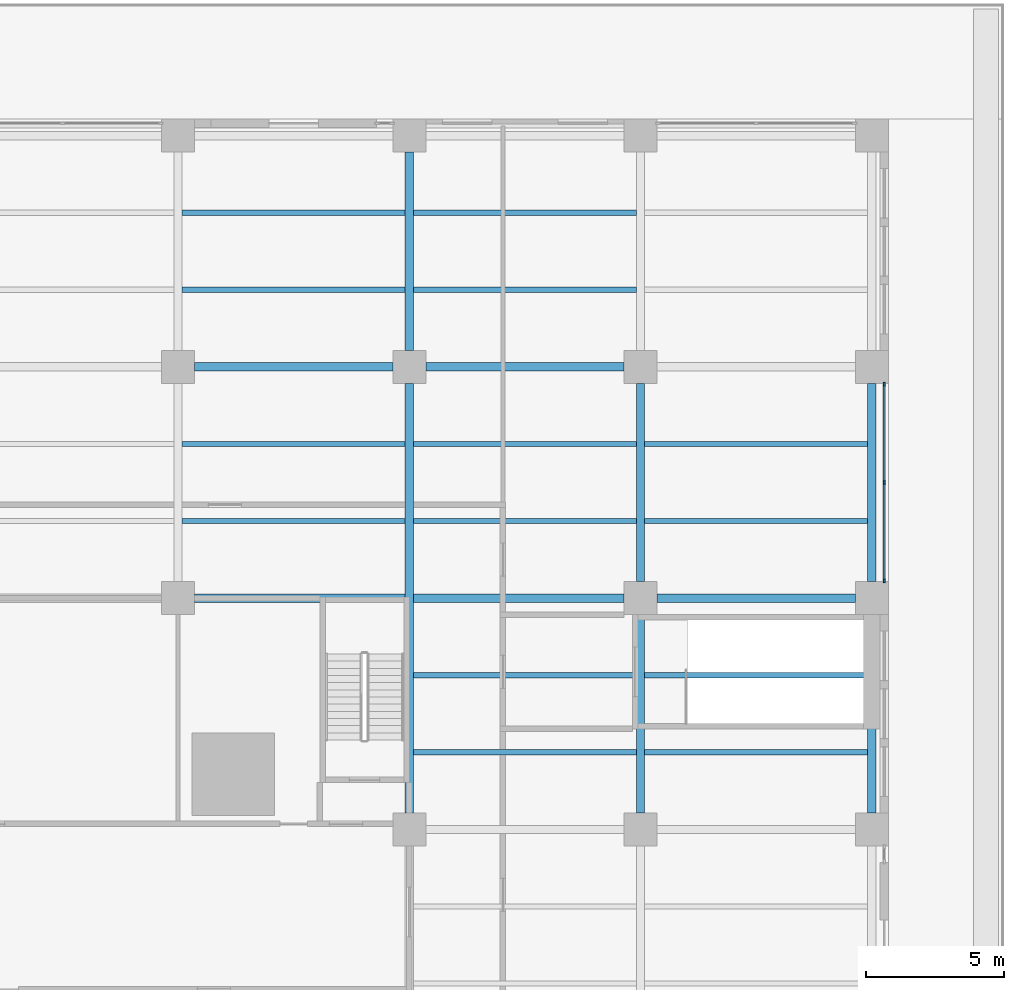
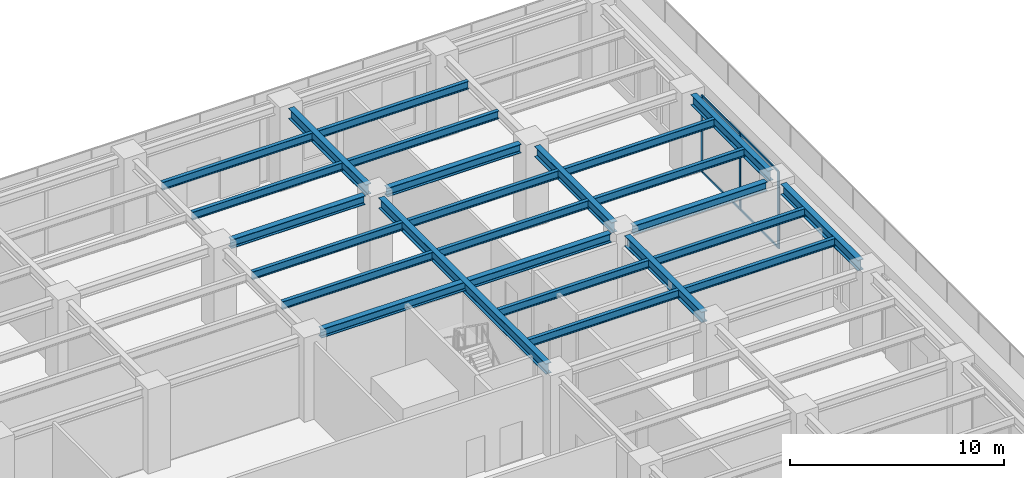
# One storey, part 15 of 53: 24 beams, 7 members, 1 element without a shape of its own.
"""IFC4 building model written with IfcOpenShell, lengths in metres."""

import ifcopenshell
import ifcopenshell.guid

model = None  # the IFC model being written
_history = None  # IfcOwnerHistory: only IFC2X3 demands one
_inside = {}  # id of a spatial element -> (the spatial element, [elements in it])
_under = {}  # id of a project, library or spatial element -> (it, [spatial elements below it])
_declared = {}  # id of a project -> (the project, [libraries it declares])
_typed = {}  # id of a type object -> (the type object, [elements of that type])
_made_of = {}  # id of a material, layer set ... -> (it, [elements and type objects made of it])


def new_model(schema):
    """Start an empty IFC model of exactly this schema.

    Asked for "IFC4X3", IfcOpenShell would pick the latest addendum, in which some entities
    have other attributes; the version numbers below select the first issue.
    IFC2X3 requires an IfcOwnerHistory on every rooted entity: one is made here for all.
    """
    global model, _history
    if schema == "IFC4X3":
        model = ifcopenshell.file(schema_version=(4, 3, 0, 0))
    else:
        model = ifcopenshell.file(schema=schema)
    _inside.clear()
    _under.clear()
    _declared.clear()
    _typed.clear()
    _made_of.clear()
    _history = None
    if model.schema == "IFC2X3":
        org = make("IfcOrganization", Name="unknown")
        user = make(
            "IfcPersonAndOrganization",
            ThePerson=make("IfcPerson", FamilyName="unknown"),
            TheOrganization=org,
        )
        app = make(
            "IfcApplication",
            ApplicationDeveloper=org,
            Version="unknown",
            ApplicationFullName="unknown",
            ApplicationIdentifier="unknown",
        )
        _history = make(
            "IfcOwnerHistory",
            OwningUser=user,
            OwningApplication=app,
            ChangeAction="ADDED",
            CreationDate=0,
        )
    return model


def make(cls, **values):
    """One entity of the class cls with the attributes given. An attribute that is None is left unset."""
    return model.create_entity(
        cls, **{name: value for name, value in values.items() if value is not None}
    )


def rooted(cls, **values):
    """An entity with a GlobalId (a new one), such as an element, a storey or a relation."""
    return make(cls, GlobalId=ifcopenshell.guid.new(), OwnerHistory=_history, **values)


def si_unit(unit_type, name, prefix=None):
    """IfcSIUnit, for example si_unit("LENGTHUNIT", "METRE", prefix="MILLI")."""
    return make("IfcSIUnit", UnitType=unit_type, Prefix=prefix, Name=name)


def assignment(units):
    """IfcUnitAssignment: the units of a project."""
    return None if units is None else make("IfcUnitAssignment", Units=units)


def point(xyz):
    """IfcCartesianPoint."""
    return None if xyz is None else make("IfcCartesianPoint", Coordinates=xyz)


def direction(xyz):
    """IfcDirection."""
    return None if xyz is None else make("IfcDirection", DirectionRatios=xyz)


def frame(location, z_axis=None, x_axis=None):
    """IfcAxis2Placement3D, a coordinate frame: its origin and axes. An axis left out is left unset."""
    return make(
        "IfcAxis2Placement3D",
        Location=point(location),
        Axis=direction(z_axis),
        RefDirection=direction(x_axis),
    )


def frame_2d(location, x_axis=None):
    """IfcAxis2Placement2D, a coordinate frame in the plane: its origin and x axis."""
    return make(
        "IfcAxis2Placement2D", Location=point(location), RefDirection=direction(x_axis)
    )


def origin():
    """The frame at (0, 0, 0) with its axes left unset."""
    return frame((0.0, 0.0, 0.0))


def origin_2d():
    """The frame at (0, 0) in the plane with its x axis left unset."""
    return frame_2d((0.0, 0.0))


def place(relative_to, where):
    """IfcLocalPlacement: puts the frame where relative to a parent placement (None: the world)."""
    return make(
        "IfcLocalPlacement", PlacementRelTo=relative_to, RelativePlacement=where
    )


def context(
    kind, dimensions, precision=None, world=None, true_north=None, identifier=None
):
    """IfcGeometricRepresentationContext, for example the 3D "Model" context."""
    return make(
        "IfcGeometricRepresentationContext",
        ContextIdentifier=identifier,
        ContextType=kind,
        CoordinateSpaceDimension=dimensions,
        Precision=precision,
        WorldCoordinateSystem=world,
        TrueNorth=true_north,
    )


def subcontext(parent, identifier, kind, view, scale=None):
    """IfcGeometricRepresentationSubContext, for example "Body" below "Model"."""
    return make(
        "IfcGeometricRepresentationSubContext",
        ContextIdentifier=identifier,
        ContextType=kind,
        ParentContext=parent,
        TargetScale=scale,
        TargetView=view,
    )


def project(units=None, contexts=None):
    """IfcProject with its units and contexts."""
    return rooted(
        "IfcProject",
        Name="project",
        RepresentationContexts=contexts,
        UnitsInContext=assignment(units),
    )


def spatial(cls, under=None, at=None, **own):
    """A site, building, storey or space (cls), placed at a placement, below another one or the project."""
    s = rooted(cls, ObjectPlacement=at, **own)
    if under is not None:
        _under.setdefault(under.id(), (under, []))[1].append(s)
    return s


def profile(cls, at=None, kind="AREA", **sizes):
    """A parametric profile (cls). Its sizes go by their IFC names, for example OverallWidth=200.0."""
    return make(cls, ProfileType=kind, Position=at, **sizes)


def rectangle(**sizes):
    """IfcRectangleProfileDef."""
    return profile("IfcRectangleProfileDef", **sizes)


def i_section(**sizes):
    """IfcIShapeProfileDef."""
    return profile("IfcIShapeProfileDef", **sizes)


def extrude(swept, where, along, depth):
    """IfcExtrudedAreaSolid: the profile swept, set in the frame where, extruded along a direction by depth."""
    return make(
        "IfcExtrudedAreaSolid",
        SweptArea=swept,
        Position=where,
        ExtrudedDirection=direction(along),
        Depth=depth,
    )


def shape(context_of_items, identifier, shape_type, items):
    """IfcShapeRepresentation: the items that make up one representation, for example the "Body"."""
    return make(
        "IfcShapeRepresentation",
        ContextOfItems=context_of_items,
        RepresentationIdentifier=identifier,
        RepresentationType=shape_type,
        Items=items,
    )


def material(Name=None, Category=None):
    """IfcMaterial."""
    return make("IfcMaterial", Name=Name, Category=Category)


def material_profile(
    of_material, cross_section, Name=None, Category=None, Priority=None
):
    """IfcMaterialProfile: a cross section and its material."""
    return make(
        "IfcMaterialProfile",
        Name=Name,
        Material=of_material,
        Profile=cross_section,
        Priority=Priority,
        Category=Category,
    )


def profile_set(profiles, Name=None, composite=None):
    """IfcMaterialProfileSet."""
    return make(
        "IfcMaterialProfileSet",
        Name=Name,
        MaterialProfiles=profiles,
        CompositeProfile=composite,
    )


def made_of(thing, what):
    """Note that an element or type object is made of a material, layer set ...; save() writes the relation."""
    if what is not None:
        _made_of.setdefault(what.id(), (what, []))[1].append(thing)
    return thing


def type_object(cls, material=None, **own):
    """A type object (cls), such as IfcWallType, which elements share."""
    return made_of(rooted(cls, **own), material)


def element(
    cls,
    number,
    at=None,
    inside=None,
    cuts=None,
    type_object=None,
    material=None,
    context=None,
    identifier="Body",
    shape_type=None,
    held_by="IfcProductDefinitionShape",
    body=None,
    shapes=None,
    **own,
):
    """One element of the class cls, such as IfcWall. Its Tag is "e" and its number.

    at: its placement. inside: the storey or other place that contains it. cuts: it is an
    opening in that element (IfcRelVoidsElement). A single representation is given by context,
    identifier, shape_type and body (its items); several are given by shapes. held_by: the class
    of the entity that holds the representations. save() writes the other relations.
    """
    e = rooted(cls, Tag="e%d" % number, ObjectPlacement=at, **own)
    if body is not None:
        shapes = [shape(context, identifier, shape_type, body)]
    if shapes is not None:
        e.Representation = make(held_by, Representations=shapes)
    if inside is not None:
        _inside.setdefault(inside.id(), (inside, []))[1].append(e)
    if cuts is not None:
        rooted(
            "IfcRelVoidsElement", RelatingBuildingElement=cuts, RelatedOpeningElement=e
        )
    if type_object is not None:
        _typed.setdefault(type_object.id(), (type_object, []))[1].append(e)
    return made_of(e, material)


def aggregate(whole, parts):
    """IfcRelAggregates: a whole, such as a stair, and the parts it consists of."""
    return rooted("IfcRelAggregates", RelatingObject=whole, RelatedObjects=parts)


def save(model, path):
    """Write the relations noted so far, then the file.

    IfcRelAggregates (storeys below a building ...), IfcRelContainedInSpatialStructure (elements
    in a storey), IfcRelDefinesByType, IfcRelAssociatesMaterial and IfcRelDeclares: one each for
    every whole, place, type object, material and project.
    """
    for whole, parts in _under.values():
        aggregate(whole, parts)
    for where, things in _inside.values():
        rooted(
            "IfcRelContainedInSpatialStructure",
            RelatedElements=things,
            RelatingStructure=where,
        )
    for kind, things in _typed.values():
        rooted("IfcRelDefinesByType", RelatedObjects=things, RelatingType=kind)
    for what, things in _made_of.values():
        rooted("IfcRelAssociatesMaterial", RelatedObjects=things, RelatingMaterial=what)
    for by, libraries in _declared.values():
        rooted("IfcRelDeclares", RelatingContext=by, RelatedDefinitions=libraries)
    model.write(path)


model = new_model("IFC4")

# Units and contexts
model_context = context("Model", 3, precision=1e-05, world=origin(), true_north=direction((0.0, 1.0)))
body_context = subcontext(model_context, "Body", "Model", "MODEL_VIEW")
ifc_project = project(units=[si_unit("LENGTHUNIT", "METRE"), si_unit("AREAUNIT", "SQUARE_METRE"), si_unit("VOLUMEUNIT", "CUBIC_METRE"), si_unit("PLANEANGLEUNIT", "RADIAN"), si_unit("MASSUNIT", "GRAM", prefix="KILO")], contexts=[model_context])

# Site, building, storey
site_placement = place(None, origin())
site = spatial("IfcSite", under=ifc_project, at=site_placement, CompositionType="ELEMENT")
building_placement = place(site_placement, origin())
building = spatial("IfcBuilding", under=site, at=building_placement, Name="Khepri Terraces", CompositionType="ELEMENT")
storey_placement = place(building_placement, frame((0.0, 0.0, 7.199951171875)))
storey = spatial("IfcBuildingStorey", under=building, at=storey_placement, Name="L01", CompositionType="ELEMENT", Elevation=7.199951171875)

# Curtain wall, members
ifc_material_1 = material(Name="Anodised aluminium bronze curtain wall", Category="aluminium")
curtain_wall_type = type_object("IfcCurtainWallType", Name="CW-SYS2-PODIUM", PredefinedType="NOTDEFINED", material=ifc_material_1)
curtain_wall_placement = place(storey_placement, origin())
curtain_wall = element("IfcCurtainWall", 1, at=curtain_wall_placement, inside=storey, type_object=curtain_wall_type, Name="Curtain wall CW2 L01 E", PredefinedType="NOTDEFINED")
ifc_material_2 = material(Name="Anodised aluminium bronze", Category="aluminium")
ifc_material_profile_1 = material_profile(ifc_material_2, rectangle(XDim=0.06005859375, YDim=0.159912109375, at=origin_2d()), Name="Anodised aluminium bronze", Category="aluminium")
ifc_profile_set_1 = profile_set([ifc_material_profile_1], Name="Anodised aluminium bronze")
member_type_1 = type_object("IfcMemberType", Name="CW-MULLION-60x160", PredefinedType="MULLION", material=ifc_profile_set_1)
member_1_placement = place(storey_placement, frame((42.449951171875, 25.830078125, 0.0), z_axis=(0.0, 0.0, 1.0), x_axis=(-1.0, 0.0, 0.0)))
member_1 = element("IfcMember", 2, at=member_1_placement, type_object=member_type_1, Name="CW2 mullion 1", PredefinedType="MULLION", context=body_context, shape_type="SweptSolid", body=[
    extrude(rectangle(XDim=0.06005859375, YDim=0.159912109375, at=origin_2d()), origin(), (0.0, 0.0, 1.0), 4.380126953125),
])
member_2_placement = place(storey_placement, frame((42.449951171875, 29.39990234375, 0.0), z_axis=(0.0, 0.0, 1.0), x_axis=(-1.0, 0.0, 0.0)))
member_2 = element("IfcMember", 3, at=member_2_placement, type_object=member_type_1, Name="CW2 mullion 2", PredefinedType="MULLION", context=body_context, shape_type="SweptSolid", body=[
    extrude(rectangle(XDim=0.06005859375, YDim=0.159912109375, at=origin_2d()), origin(), (0.0, 0.0, 1.0), 4.380126953125),
])
member_3_placement = place(storey_placement, frame((42.449951171875, 32.969970703125, 0.0), z_axis=(0.0, 0.0, 1.0), x_axis=(-1.0, 0.0, 0.0)))
member_3 = element("IfcMember", 4, at=member_3_placement, type_object=member_type_1, Name="CW2 mullion 3", PredefinedType="MULLION", context=body_context, shape_type="SweptSolid", body=[
    extrude(rectangle(XDim=0.06005859375, YDim=0.159912109375, at=origin_2d()), origin(), (0.0, 0.0, 1.0), 4.380126953125),
])
ifc_material_profile_2 = material_profile(ifc_material_2, rectangle(XDim=0.06005859375, YDim=0.1201171875, at=origin_2d()), Name="Anodised aluminium bronze", Category="aluminium")
ifc_profile_set_2 = profile_set([ifc_material_profile_2], Name="Anodised aluminium bronze")
member_type_2 = type_object("IfcMemberType", Name="CW-TRANSOM-60x120", PredefinedType="USERDEFINED", material=ifc_profile_set_2)
member_4_placement = place(storey_placement, frame((42.449951171875, 25.860107421875, 0.030029296875), z_axis=(0.0, 1.0, 0.0), x_axis=(-1.0, 0.0, 0.0)))
member_4 = element("IfcMember", 5, at=member_4_placement, type_object=member_type_2, Name="CW2 transom 1.1", ObjectType="TRANSOM", PredefinedType="USERDEFINED", context=body_context, shape_type="SweptSolid", body=[
    extrude(rectangle(XDim=0.06005859375, YDim=0.1201171875, at=origin_2d()), origin(), (0.0, 0.0, 1.0), 3.510009765625),
])
member_5_placement = place(storey_placement, frame((42.449951171875, 25.860107421875, 4.35009765625), z_axis=(0.0, 1.0, 0.0), x_axis=(-1.0, 0.0, 0.0)))
member_5 = element("IfcMember", 6, at=member_5_placement, type_object=member_type_2, Name="CW2 transom 1.2", ObjectType="TRANSOM", PredefinedType="USERDEFINED", context=body_context, shape_type="SweptSolid", body=[
    extrude(rectangle(XDim=0.06005859375, YDim=0.1201171875, at=origin_2d()), origin(), (0.0, 0.0, 1.0), 3.510009765625),
])
member_6_placement = place(storey_placement, frame((42.449951171875, 29.429931640625, 0.030029296875), z_axis=(0.0, 1.0, 0.0), x_axis=(-1.0, 0.0, 0.0)))
member_6 = element("IfcMember", 7, at=member_6_placement, type_object=member_type_2, Name="CW2 transom 2.1", ObjectType="TRANSOM", PredefinedType="USERDEFINED", context=body_context, shape_type="SweptSolid", body=[
    extrude(rectangle(XDim=0.06005859375, YDim=0.1201171875, at=origin_2d()), origin(), (0.0, 0.0, 1.0), 3.510009765625),
])
member_7_placement = place(storey_placement, frame((42.449951171875, 29.429931640625, 4.35009765625), z_axis=(0.0, 1.0, 0.0), x_axis=(-1.0, 0.0, 0.0)))
member_7 = element("IfcMember", 8, at=member_7_placement, type_object=member_type_2, Name="CW2 transom 2.2", ObjectType="TRANSOM", PredefinedType="USERDEFINED", context=body_context, shape_type="SweptSolid", body=[
    extrude(rectangle(XDim=0.06005859375, YDim=0.1201171875, at=origin_2d()), origin(), (0.0, 0.0, 1.0), 3.510009765625),
])
aggregate(curtain_wall, [member_1, member_2, member_3, member_4, member_5, member_6, member_7])

# Beams
ifc_material_3 = material(Name="Steel S355", Category="steel")
ifc_material_profile_3 = material_profile(ifc_material_3, i_section(OverallWidth=0.300048828125, OverallDepth=0.60009765625, WebThickness=0.015380859375, FlangeThickness=0.030029296875, FilletRadius=0.027099609375, at=origin_2d()), Name="Steel S355", Category="steel")
ifc_profile_set_3 = profile_set([ifc_material_profile_3], Name="Steel S355")
beam_type_1 = type_object("IfcBeamType", Name="Podium girder L02 HEB 600", PredefinedType="BEAM", material=ifc_profile_set_3)
beam_1_placement = place(storey_placement, frame((25.199951171875, 17.39990234375, 4.300048828125), z_axis=(0.0, 1.0, 0.0), x_axis=(-1.0, 0.0, 0.0)))
element("IfcBeam", 9, at=beam_1_placement, inside=storey, type_object=beam_type_1, Name="Podium girder L02 055", PredefinedType="BEAM", context=body_context, shape_type="SweptSolid", body=[
    extrude(i_section(OverallWidth=0.300048828125, OverallDepth=0.60009765625, WebThickness=0.015380859375, FlangeThickness=0.030029296875, FilletRadius=0.027099609375, at=origin_2d()), origin(), (0.0, 0.0, 1.0), 15.60009765625),
])
beam_2_placement = place(storey_placement, frame((25.199951171875, 34.199951171875, 4.300048828125), z_axis=(0.0, 1.0, 0.0), x_axis=(-1.0, 0.0, 0.0)))
element("IfcBeam", 10, at=beam_2_placement, inside=storey, type_object=beam_type_1, Name="Podium girder L02 056", PredefinedType="BEAM", context=body_context, shape_type="SweptSolid", body=[
    extrude(i_section(OverallWidth=0.300048828125, OverallDepth=0.60009765625, WebThickness=0.015380859375, FlangeThickness=0.030029296875, FilletRadius=0.027099609375, at=origin_2d()), origin(), (0.0, 0.0, 1.0), 7.199951171875),
])
beam_3_placement = place(storey_placement, frame((33.60009765625, 17.39990234375, 4.300048828125), z_axis=(0.0, 1.0, 0.0), x_axis=(-1.0, 0.0, 0.0)))
element("IfcBeam", 11, at=beam_3_placement, inside=storey, type_object=beam_type_1, Name="Podium girder L02 064", PredefinedType="BEAM", context=body_context, shape_type="SweptSolid", body=[
    extrude(i_section(OverallWidth=0.300048828125, OverallDepth=0.60009765625, WebThickness=0.015380859375, FlangeThickness=0.030029296875, FilletRadius=0.027099609375, at=origin_2d()), origin(), (0.0, 0.0, 1.0), 7.2001953125),
])
beam_4_placement = place(storey_placement, frame((33.60009765625, 25.800048828125, 4.300048828125), z_axis=(0.0, 1.0, 0.0), x_axis=(-1.0, 0.0, 0.0)))
element("IfcBeam", 12, at=beam_4_placement, inside=storey, type_object=beam_type_1, Name="Podium girder L02 065", PredefinedType="BEAM", context=body_context, shape_type="SweptSolid", body=[
    extrude(i_section(OverallWidth=0.300048828125, OverallDepth=0.60009765625, WebThickness=0.015380859375, FlangeThickness=0.030029296875, FilletRadius=0.027099609375, at=origin_2d()), origin(), (0.0, 0.0, 1.0), 7.199951171875),
])
beam_5_placement = place(storey_placement, frame((42.0, 17.39990234375, 4.300048828125), z_axis=(0.0, 1.0, 0.0), x_axis=(-1.0, 0.0, 0.0)))
element("IfcBeam", 13, at=beam_5_placement, inside=storey, type_object=beam_type_1, Name="Podium girder L02 074", PredefinedType="BEAM", context=body_context, shape_type="SweptSolid", body=[
    extrude(i_section(OverallWidth=0.300048828125, OverallDepth=0.60009765625, WebThickness=0.015380859375, FlangeThickness=0.030029296875, FilletRadius=0.027099609375, at=origin_2d()), origin(), (0.0, 0.0, 1.0), 7.2001953125),
])
beam_6_placement = place(storey_placement, frame((42.0, 25.800048828125, 4.300048828125), z_axis=(0.0, 1.0, 0.0), x_axis=(-1.0, 0.0, 0.0)))
element("IfcBeam", 14, at=beam_6_placement, inside=storey, type_object=beam_type_1, Name="Podium girder L02 075", PredefinedType="BEAM", context=body_context, shape_type="SweptSolid", body=[
    extrude(i_section(OverallWidth=0.300048828125, OverallDepth=0.60009765625, WebThickness=0.015380859375, FlangeThickness=0.030029296875, FilletRadius=0.027099609375, at=origin_2d()), origin(), (0.0, 0.0, 1.0), 7.199951171875),
])
ifc_material_profile_4 = material_profile(ifc_material_3, i_section(OverallWidth=0.300048828125, OverallDepth=0.5, WebThickness=0.014404296875, FlangeThickness=0.028076171875, FilletRadius=0.027099609375, at=origin_2d()), Name="Steel S355", Category="steel")
ifc_profile_set_4 = profile_set([ifc_material_profile_4], Name="Steel S355")
beam_type_2 = type_object("IfcBeamType", Name="Podium girder L02 grid line HEB 500", PredefinedType="BEAM", material=ifc_profile_set_4)
beam_7_placement = place(storey_placement, frame((17.39990234375, 25.199951171875, 4.35009765625), z_axis=(1.0, 0.0, 0.0), x_axis=(0.0, 1.0, 0.0)))
element("IfcBeam", 15, at=beam_7_placement, inside=storey, type_object=beam_type_2, Name="Podium grid-line girder L02 143", PredefinedType="BEAM", context=body_context, shape_type="SweptSolid", body=[
    extrude(i_section(OverallWidth=0.300048828125, OverallDepth=0.5, WebThickness=0.014404296875, FlangeThickness=0.028076171875, FilletRadius=0.027099609375, at=origin_2d()), origin(), (0.0, 0.0, 1.0), 15.60009765625),
])
beam_8_placement = place(storey_placement, frame((34.199951171875, 25.199951171875, 4.35009765625), z_axis=(1.0, 0.0, 0.0), x_axis=(0.0, 1.0, 0.0)))
element("IfcBeam", 16, at=beam_8_placement, inside=storey, type_object=beam_type_2, Name="Podium grid-line girder L02 144", PredefinedType="BEAM", context=body_context, shape_type="SweptSolid", body=[
    extrude(i_section(OverallWidth=0.300048828125, OverallDepth=0.5, WebThickness=0.014404296875, FlangeThickness=0.028076171875, FilletRadius=0.027099609375, at=origin_2d()), origin(), (0.0, 0.0, 1.0), 7.199951171875),
])
beam_9_placement = place(storey_placement, frame((17.39990234375, 33.60009765625, 4.35009765625), z_axis=(1.0, 0.0, 0.0), x_axis=(0.0, 1.0, 0.0)))
element("IfcBeam", 17, at=beam_9_placement, inside=storey, type_object=beam_type_2, Name="Podium grid-line girder L02 172", PredefinedType="BEAM", context=body_context, shape_type="SweptSolid", body=[
    extrude(i_section(OverallWidth=0.300048828125, OverallDepth=0.5, WebThickness=0.014404296875, FlangeThickness=0.028076171875, FilletRadius=0.027099609375, at=origin_2d()), origin(), (0.0, 0.0, 1.0), 7.2001953125),
])
beam_10_placement = place(storey_placement, frame((25.800048828125, 33.60009765625, 4.35009765625), z_axis=(1.0, 0.0, 0.0), x_axis=(0.0, 1.0, 0.0)))
element("IfcBeam", 18, at=beam_10_placement, inside=storey, type_object=beam_type_2, Name="Podium grid-line girder L02 173", PredefinedType="BEAM", context=body_context, shape_type="SweptSolid", body=[
    extrude(i_section(OverallWidth=0.300048828125, OverallDepth=0.5, WebThickness=0.014404296875, FlangeThickness=0.028076171875, FilletRadius=0.027099609375, at=origin_2d()), origin(), (0.0, 0.0, 1.0), 7.199951171875),
])
ifc_material_profile_5 = material_profile(ifc_material_3, i_section(OverallWidth=0.18994140625, OverallDepth=0.449951171875, WebThickness=0.009521484375, FlangeThickness=0.0146484375, FilletRadius=0.02099609375, at=origin_2d()), Name="Steel S355", Category="steel")
ifc_profile_set_5 = profile_set([ifc_material_profile_5], Name="Steel S355")
beam_type_3 = type_object("IfcBeamType", Name="Podium joist L02 IPE 450", PredefinedType="JOIST", material=ifc_profile_set_5)
beam_11_placement = place(storey_placement, frame((25.35009765625, 19.60009765625, 4.375), z_axis=(1.0, 0.0, 0.0), x_axis=(0.0, 1.0, 0.0)))
element("IfcBeam", 19, at=beam_11_placement, inside=storey, type_object=beam_type_3, Name="Podium joist L02 131", PredefinedType="JOIST", context=body_context, shape_type="SweptSolid", body=[
    extrude(i_section(OverallWidth=0.18994140625, OverallDepth=0.449951171875, WebThickness=0.009521484375, FlangeThickness=0.0146484375, FilletRadius=0.02099609375, at=origin_2d()), origin(), (0.0, 0.0, 1.0), 8.099853515625),
])
beam_12_placement = place(storey_placement, frame((33.75, 19.60009765625, 4.375), z_axis=(1.0, 0.0, 0.0), x_axis=(0.0, 1.0, 0.0)))
element("IfcBeam", 20, at=beam_12_placement, inside=storey, type_object=beam_type_3, Name="Podium joist L02 132", PredefinedType="JOIST", context=body_context, shape_type="SweptSolid", body=[
    extrude(i_section(OverallWidth=0.18994140625, OverallDepth=0.449951171875, WebThickness=0.009521484375, FlangeThickness=0.0146484375, FilletRadius=0.02099609375, at=origin_2d()), origin(), (0.0, 0.0, 1.0), 8.10009765625),
])
beam_13_placement = place(storey_placement, frame((25.35009765625, 22.39990234375, 4.375), z_axis=(1.0, 0.0, 0.0), x_axis=(0.0, 1.0, 0.0)))
element("IfcBeam", 21, at=beam_13_placement, inside=storey, type_object=beam_type_3, Name="Podium joist L02 135", PredefinedType="JOIST", context=body_context, shape_type="SweptSolid", body=[
    extrude(i_section(OverallWidth=0.18994140625, OverallDepth=0.449951171875, WebThickness=0.009521484375, FlangeThickness=0.0146484375, FilletRadius=0.02099609375, at=origin_2d()), origin(), (0.0, 0.0, 1.0), 8.099853515625),
])
for number, where, z_axis, x_axis, name in (
    (22, (33.75, 22.39990234375, 4.375), (1.0, 0.0, 0.0), (0.0, 1.0, 0.0), "Podium joist L02 136"),
    (23, (16.949951171875, 28.0, 4.375), (1.0, 0.0, 0.0), (0.0, 1.0, 0.0), "Podium joist L02 152"),
):
    element("IfcBeam", number, at=place(storey_placement, frame(where, z_axis=z_axis, x_axis=x_axis)), inside=storey, type_object=beam_type_3, Name=name, PredefinedType="JOIST", context=body_context, shape_type="SweptSolid", body=[
        extrude(i_section(OverallWidth=0.18994140625, OverallDepth=0.449951171875, WebThickness=0.009521484375, FlangeThickness=0.0146484375, FilletRadius=0.02099609375, at=origin_2d()), origin(), (0.0, 0.0, 1.0), 8.10009765625),
    ])
beam_14_placement = place(storey_placement, frame((25.35009765625, 28.0, 4.375), z_axis=(1.0, 0.0, 0.0), x_axis=(0.0, 1.0, 0.0)))
element("IfcBeam", 24, at=beam_14_placement, inside=storey, type_object=beam_type_3, Name="Podium joist L02 153", PredefinedType="JOIST", context=body_context, shape_type="SweptSolid", body=[
    extrude(i_section(OverallWidth=0.18994140625, OverallDepth=0.449951171875, WebThickness=0.009521484375, FlangeThickness=0.0146484375, FilletRadius=0.02099609375, at=origin_2d()), origin(), (0.0, 0.0, 1.0), 8.099853515625),
])
for number, where, z_axis, x_axis, name in (
    (25, (33.75, 28.0, 4.375), (1.0, 0.0, 0.0), (0.0, 1.0, 0.0), "Podium joist L02 154"),
    (26, (16.949951171875, 30.800048828125, 4.375), (1.0, 0.0, 0.0), (0.0, 1.0, 0.0), "Podium joist L02 162"),
):
    element("IfcBeam", number, at=place(storey_placement, frame(where, z_axis=z_axis, x_axis=x_axis)), inside=storey, type_object=beam_type_3, Name=name, PredefinedType="JOIST", context=body_context, shape_type="SweptSolid", body=[
        extrude(i_section(OverallWidth=0.18994140625, OverallDepth=0.449951171875, WebThickness=0.009521484375, FlangeThickness=0.0146484375, FilletRadius=0.02099609375, at=origin_2d()), origin(), (0.0, 0.0, 1.0), 8.10009765625),
    ])
beam_15_placement = place(storey_placement, frame((25.35009765625, 30.800048828125, 4.375), z_axis=(1.0, 0.0, 0.0), x_axis=(0.0, 1.0, 0.0)))
element("IfcBeam", 27, at=beam_15_placement, inside=storey, type_object=beam_type_3, Name="Podium joist L02 163", PredefinedType="JOIST", context=body_context, shape_type="SweptSolid", body=[
    extrude(i_section(OverallWidth=0.18994140625, OverallDepth=0.449951171875, WebThickness=0.009521484375, FlangeThickness=0.0146484375, FilletRadius=0.02099609375, at=origin_2d()), origin(), (0.0, 0.0, 1.0), 8.099853515625),
])
for number, where, z_axis, x_axis, name in (
    (28, (33.75, 30.800048828125, 4.375), (1.0, 0.0, 0.0), (0.0, 1.0, 0.0), "Podium joist L02 164"),
    (29, (16.949951171875, 36.39990234375, 4.375), (1.0, 0.0, 0.0), (0.0, 1.0, 0.0), "Podium joist L02 182"),
):
    element("IfcBeam", number, at=place(storey_placement, frame(where, z_axis=z_axis, x_axis=x_axis)), inside=storey, type_object=beam_type_3, Name=name, PredefinedType="JOIST", context=body_context, shape_type="SweptSolid", body=[
        extrude(i_section(OverallWidth=0.18994140625, OverallDepth=0.449951171875, WebThickness=0.009521484375, FlangeThickness=0.0146484375, FilletRadius=0.02099609375, at=origin_2d()), origin(), (0.0, 0.0, 1.0), 8.10009765625),
    ])
beam_16_placement = place(storey_placement, frame((25.35009765625, 36.39990234375, 4.375), z_axis=(1.0, 0.0, 0.0), x_axis=(0.0, 1.0, 0.0)))
element("IfcBeam", 30, at=beam_16_placement, inside=storey, type_object=beam_type_3, Name="Podium joist L02 183", PredefinedType="JOIST", context=body_context, shape_type="SweptSolid", body=[
    extrude(i_section(OverallWidth=0.18994140625, OverallDepth=0.449951171875, WebThickness=0.009521484375, FlangeThickness=0.0146484375, FilletRadius=0.02099609375, at=origin_2d()), origin(), (0.0, 0.0, 1.0), 8.099853515625),
])
beam_17_placement = place(storey_placement, frame((16.949951171875, 39.199951171875, 4.375), z_axis=(1.0, 0.0, 0.0), x_axis=(0.0, 1.0, 0.0)))
element("IfcBeam", 31, at=beam_17_placement, inside=storey, type_object=beam_type_3, Name="Podium joist L02 192", PredefinedType="JOIST", context=body_context, shape_type="SweptSolid", body=[
    extrude(i_section(OverallWidth=0.18994140625, OverallDepth=0.449951171875, WebThickness=0.009521484375, FlangeThickness=0.0146484375, FilletRadius=0.02099609375, at=origin_2d()), origin(), (0.0, 0.0, 1.0), 8.10009765625),
])
beam_18_placement = place(storey_placement, frame((25.35009765625, 39.199951171875, 4.375), z_axis=(1.0, 0.0, 0.0), x_axis=(0.0, 1.0, 0.0)))
element("IfcBeam", 32, at=beam_18_placement, inside=storey, type_object=beam_type_3, Name="Podium joist L02 193", PredefinedType="JOIST", context=body_context, shape_type="SweptSolid", body=[
    extrude(i_section(OverallWidth=0.18994140625, OverallDepth=0.449951171875, WebThickness=0.009521484375, FlangeThickness=0.0146484375, FilletRadius=0.02099609375, at=origin_2d()), origin(), (0.0, 0.0, 1.0), 8.099853515625),
])

save(model, "model.ifc")
